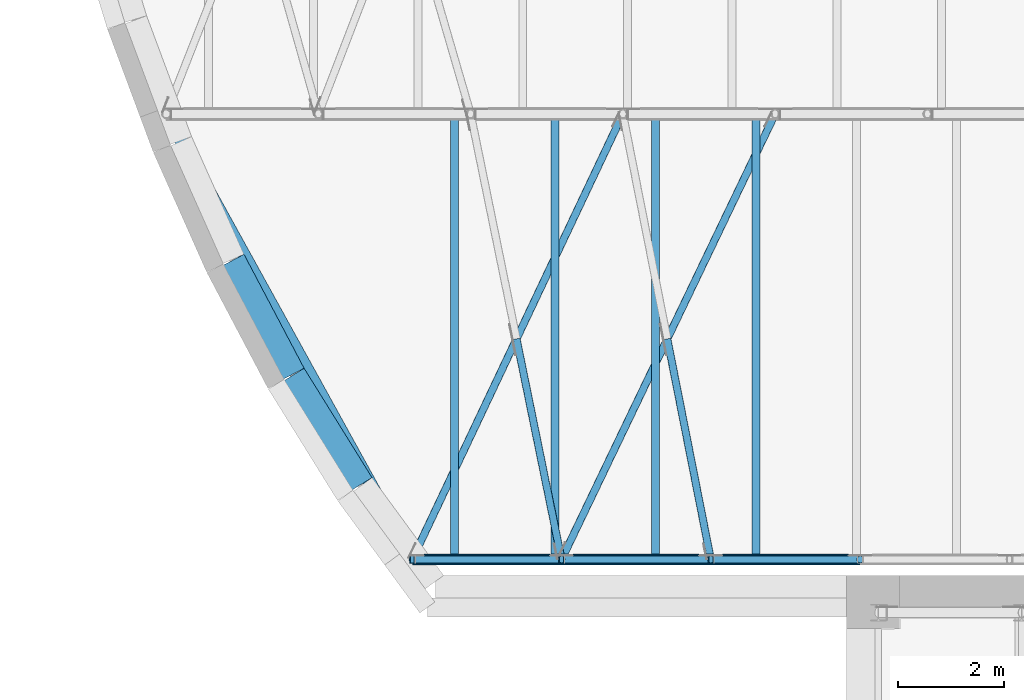
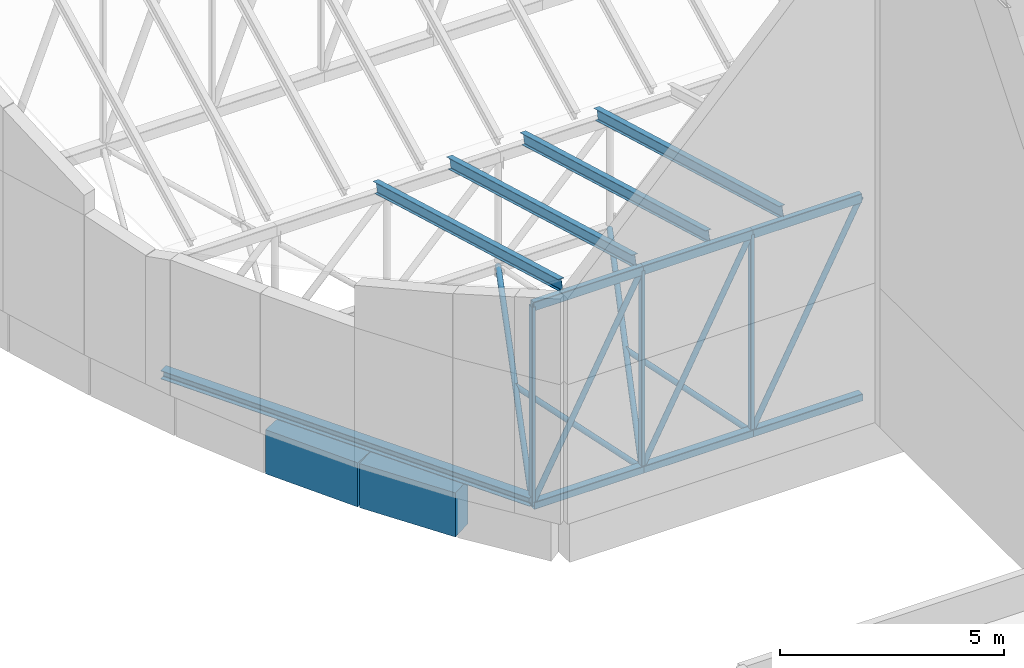
# One storey, part 7 of 68: 14 members, 9 beams.
"""IFC4 building model written with IfcOpenShell, lengths in metres."""

from ifc_helpers import new_model, si_unit, direction, frame, origin, origin_2d, place, context, subcontext, project, spatial, rectangle, hollow_rectangle, hollow_circle, i_section, extrude, material, material_profile, profile_set, type_object, element, save


model = new_model("IFC4")

# Units and contexts
model_context = context("Model", 3, precision=1e-05, world=origin(), true_north=direction((0.0, 1.0)))
body_context = subcontext(model_context, "Body", "Model", "MODEL_VIEW")
ifc_project = project(units=[si_unit("LENGTHUNIT", "METRE"), si_unit("AREAUNIT", "SQUARE_METRE"), si_unit("VOLUMEUNIT", "CUBIC_METRE"), si_unit("PLANEANGLEUNIT", "RADIAN"), si_unit("MASSUNIT", "GRAM", prefix="KILO")], contexts=[model_context])

# Site, building, storey
site_placement = place(None, origin())
site = spatial("IfcSite", under=ifc_project, at=site_placement, CompositionType="ELEMENT")
building_placement = place(site_placement, origin())
building = spatial("IfcBuilding", under=site, at=building_placement, Name="Larchfold Concert Hall", CompositionType="ELEMENT")
storey_placement = place(building_placement, frame((0.0, 0.0, 28.800048828125)))
storey = spatial("IfcBuildingStorey", under=building, at=storey_placement, Name="L06", CompositionType="ELEMENT", Elevation=28.800048828125)

# Beams
ifc_material_1 = material(Name="Concrete C40/50", Category="concrete")
ifc_material_profile_1 = material_profile(ifc_material_1, rectangle(XDim=0.60009765625, YDim=1.199951171875, at=origin_2d()))
ifc_profile_set_1 = profile_set([ifc_material_profile_1], Name="Concrete C40/50")
beam_type_1 = type_object("IfcBeamType", Name="Beam RC 600x1200", PredefinedType="BEAM", material=ifc_profile_set_1)
beam_1_placement = place(storey_placement, frame((22.276611328125, 65.613037109375, -0.60009765625), z_axis=(0.466450636576, -0.884547230869, 0.0), x_axis=(0.884547230869, 0.466450636576, 0.0)))
element("IfcBeam", 1, at=beam_1_placement, inside=storey, type_object=beam_type_1, Name="Beam RB47", PredefinedType="BEAM", context=body_context, shape_type="SweptSolid", body=[
    extrude(rectangle(XDim=0.60009765625, YDim=1.199951171875, at=origin_2d()), origin(), (0.0, 0.0, 1.0), 2.428466796875),
])
beam_2_placement = place(storey_placement, frame((23.419921875, 63.446533203125, -0.60009765625), z_axis=(0.527690900744, -0.849436468061, 0.0), x_axis=(0.849436468061, 0.527690900744, 0.0)))
element("IfcBeam", 2, at=beam_2_placement, inside=storey, type_object=beam_type_1, Name="Beam RB48", PredefinedType="BEAM", context=body_context, shape_type="SweptSolid", body=[
    extrude(rectangle(XDim=0.60009765625, YDim=1.199951171875, at=origin_2d()), origin(), (0.0, 0.0, 1.0), 2.4267578125),
])

# Members
ifc_material_2 = material(Name="Steel S355J2H", Category="steel")
ifc_material_profile_2 = material_profile(ifc_material_2, hollow_circle(Radius=0.06982421875, WallThickness=0.00634765625, at=origin_2d()))
ifc_profile_set_2 = profile_set([ifc_material_profile_2], Name="Steel S355J2H")
member_type_1 = type_object("IfcMemberType", Name="Bracing CHS 139.7x6.3", PredefinedType="BRACE", material=ifc_profile_set_2)
member_1_placement = place(storey_placement, frame((25.713623046875, 60.0, 0.0), z_axis=(0.427408512675, 0.904058606116, 0.0), x_axis=(-0.904058606116, 0.427408512675, 0.0)))
element("IfcMember", 3, at=member_1_placement, inside=storey, type_object=member_type_1, Name="Member FB001", PredefinedType="BRACE", context=body_context, shape_type="SweptSolid", body=[
    extrude(hollow_circle(Radius=0.06982421875, WallThickness=0.00634765625, at=origin_2d()), origin(), (0.0, 0.0, 1.0), 9.291259765625),
])
member_2_placement = place(storey_placement, frame((28.528076171875, 60.0, 0.0), z_axis=(-0.199875493412, 0.979821303674, 0.0), x_axis=(-0.979821303674, -0.199875493412, 0.0)))
element("IfcMember", 4, at=member_2_placement, inside=storey, type_object=member_type_1, Name="Member FB002", PredefinedType="BRACE", context=body_context, shape_type="SweptSolid", body=[
    extrude(hollow_circle(Radius=0.06982421875, WallThickness=0.00634765625, at=origin_2d()), origin(), (0.0, 0.0, 1.0), 4.24462890625),
])
member_3_placement = place(storey_placement, frame((28.528076171875, 60.0, 0.0), z_axis=(0.432264939543, 0.901746650696, 0.0), x_axis=(-0.901746650696, 0.432264939543, 0.0)))
element("IfcMember", 5, at=member_3_placement, inside=storey, type_object=member_type_1, Name="Member FB004", PredefinedType="BRACE", context=body_context, shape_type="SweptSolid", body=[
    extrude(hollow_circle(Radius=0.06982421875, WallThickness=0.00634765625, at=origin_2d()), origin(), (0.0, 0.0, 1.0), 9.315185546875),
])
member_4_placement = place(storey_placement, frame((31.342529296875, 60.0, 0.0), z_axis=(-0.193623550022, 0.981075899651, 0.0), x_axis=(-0.981075899651, -0.193623550022, 0.0)))
element("IfcMember", 6, at=member_4_placement, inside=storey, type_object=member_type_1, Name="Member FB005", PredefinedType="BRACE", context=body_context, shape_type="SweptSolid", body=[
    extrude(hollow_circle(Radius=0.06982421875, WallThickness=0.00634765625, at=origin_2d()), origin(), (0.0, 0.0, 1.0), 4.2392578125),
])
ifc_material_3 = material(Name="Steel S355", Category="steel")
ifc_material_profile_3 = material_profile(ifc_material_3, i_section(OverallWidth=0.14990234375, OverallDepth=0.300048828125, WebThickness=0.007080078125, FlangeThickness=0.0107421875, FilletRadius=0.014892578125, at=origin_2d()))
ifc_profile_set_3 = profile_set([ifc_material_profile_3], Name="Steel S355")
member_type_2 = type_object("IfcMemberType", Name="Rafter IPE 300", PredefinedType="RAFTER", material=ifc_profile_set_3)
for number, where, z_axis, x_axis, name in (
    (7, (26.513671875, 60.054931640625, 5.646240234375), (0.0, 0.962273331526, -0.272084610799), (-1.0, 0.0, 0.0), "Member RF0001"),
    (8, (28.40625, 60.054931640625, 5.646240234375), (0.0, 0.962273331526, -0.272084610799), (-1.0, 0.0, 0.0), "Member RF0002"),
    (9, (30.298583984375, 60.054931640625, 5.646240234375), (0.0, 0.962273331526, -0.272084610799), (-1.0, 0.0, 0.0), "Member RF0003"),
    (10, (32.191162109375, 60.054931640625, 5.646240234375), (0.0, 0.962273331526, -0.272084610799), (-1.0, 0.0, 0.0), "Member RF0004"),
):
    element("IfcMember", number, at=place(storey_placement, frame(where, z_axis=z_axis, x_axis=x_axis)), inside=storey, type_object=member_type_2, Name=name, PredefinedType="RAFTER", context=body_context, shape_type="SweptSolid", body=[
        extrude(i_section(OverallWidth=0.14990234375, OverallDepth=0.300048828125, WebThickness=0.007080078125, FlangeThickness=0.0107421875, FilletRadius=0.014892578125, at=origin_2d()), origin(), (0.0, 0.0, 1.0), 8.5888671875),
    ])

# Beams
ifc_material_4 = material(Name="Steel S355", Category="steel")
ifc_material_profile_4 = material_profile(ifc_material_4, i_section(OverallWidth=0.239990234375, OverallDepth=0.22998046875, WebThickness=0.007568359375, FlangeThickness=0.011962890625, FilletRadius=0.02099609375, at=origin_2d()))
ifc_profile_set_4 = profile_set([ifc_material_profile_4], Name="Steel S355")
beam_type_2 = type_object("IfcBeamType", Name="Steel beam HEA 240", PredefinedType="BEAM", material=ifc_profile_set_4)
beam_3_placement = place(storey_placement, frame((25.713623046875, 60.0, 0.114990234375), z_axis=(-0.483455291707, 0.875369054125, 0.0), x_axis=(-0.875369054125, -0.483455291707, 0.0)))
element("IfcBeam", 11, at=beam_3_placement, inside=storey, type_object=beam_type_2, Name="Beam EM01", PredefinedType="BEAM", context=body_context, shape_type="SweptSolid", body=[
    extrude(i_section(OverallWidth=0.239990234375, OverallDepth=0.22998046875, WebThickness=0.007568359375, FlangeThickness=0.011962890625, FilletRadius=0.02099609375, at=origin_2d()), origin(), (0.0, 0.0, 1.0), 9.595947265625),
])
ifc_material_5 = material(Name="Steel S355J2H", Category="steel")
ifc_material_profile_5 = material_profile(ifc_material_5, hollow_rectangle(XDim=0.14990234375, YDim=0.25, WallThickness=0.010009765625, InnerFilletRadius=0.010009765625, OuterFilletRadius=0.02001953125, at=origin_2d()))
ifc_profile_set_5 = profile_set([ifc_material_profile_5], Name="Steel S355J2H")
beam_type_3 = type_object("IfcBeamType", Name="Truss chord RHS 250x150x10", PredefinedType="BEAM", material=ifc_profile_set_5)
for number, where, z_axis, x_axis, name in (
    (12, (25.713623046875, 60.0, 5.39990234375), (1.0, 0.0, 0.0), (0.0, 1.0, 0.0), "Beam FT1T01"),
    (13, (28.528076171875, 60.0, 5.39990234375), (1.0, 0.0, 0.0), (0.0, 1.0, 0.0), "Beam FT1T02"),
):
    element("IfcBeam", number, at=place(storey_placement, frame(where, z_axis=z_axis, x_axis=x_axis)), inside=storey, type_object=beam_type_3, Name=name, PredefinedType="BEAM", context=body_context, shape_type="SweptSolid", body=[
        extrude(hollow_rectangle(XDim=0.14990234375, YDim=0.25, WallThickness=0.010009765625, InnerFilletRadius=0.010009765625, OuterFilletRadius=0.02001953125, at=origin_2d()), origin(), (0.0, 0.0, 1.0), 2.814453125),
    ])
beam_4_placement = place(storey_placement, frame((31.342529296875, 60.0, 5.39990234375), z_axis=(1.0, 0.0, 0.0), x_axis=(0.0, 1.0, 0.0)))
element("IfcBeam", 14, at=beam_4_placement, inside=storey, type_object=beam_type_3, Name="Beam FT1T03", PredefinedType="BEAM", context=body_context, shape_type="SweptSolid", body=[
    extrude(hollow_rectangle(XDim=0.14990234375, YDim=0.25, WallThickness=0.010009765625, InnerFilletRadius=0.010009765625, OuterFilletRadius=0.02001953125, at=origin_2d()), origin(), (0.0, 0.0, 1.0), 2.814208984375),
])

# Members
ifc_material_6 = material(Name="Steel S355J2H", Category="steel")
ifc_material_profile_6 = material_profile(ifc_material_6, hollow_rectangle(XDim=0.10009765625, YDim=0.14990234375, WallThickness=0.008056640625, InnerFilletRadius=0.008056640625, OuterFilletRadius=0.01611328125, at=origin_2d()))
ifc_profile_set_6 = profile_set([ifc_material_profile_6], Name="Steel S355J2H")
member_type_3 = type_object("IfcMemberType", Name="Truss post RHS 150x100x8", PredefinedType="POST", material=ifc_profile_set_6)
for number, where, z_axis, x_axis, name in (
    (15, (25.713623046875, 60.0, 5.39990234375), (0.0, 0.0, -1.0), (1.0, 0.0, 0.0), "Member FT1V01"),
    (16, (28.528076171875, 60.0, 5.39990234375), (0.0, 0.0, -1.0), (1.0, 0.0, 0.0), "Member FT1V02"),
    (17, (31.342529296875, 60.0, 5.39990234375), (0.0, 0.0, -1.0), (1.0, 0.0, 0.0), "Member FT1V03"),
):
    element("IfcMember", number, at=place(storey_placement, frame(where, z_axis=z_axis, x_axis=x_axis)), inside=storey, type_object=member_type_3, Name=name, PredefinedType="POST", context=body_context, shape_type="SweptSolid", body=[
        extrude(hollow_rectangle(XDim=0.10009765625, YDim=0.14990234375, WallThickness=0.008056640625, InnerFilletRadius=0.008056640625, OuterFilletRadius=0.01611328125, at=origin_2d()), origin(), (0.0, 0.0, 1.0), 5.39990234375),
    ])

# Beams
ifc_material_7 = material(Name="Steel S355J2H", Category="steel")
ifc_material_profile_7 = material_profile(ifc_material_7, hollow_rectangle(XDim=0.199951171875, YDim=0.199951171875, WallThickness=0.010009765625, InnerFilletRadius=0.010009765625, OuterFilletRadius=0.02001953125, at=origin_2d()))
ifc_profile_set_7 = profile_set([ifc_material_profile_7], Name="Steel S355J2H")
beam_type_4 = type_object("IfcBeamType", Name="Truss tie SHS 200x200x10", PredefinedType="BEAM", material=ifc_profile_set_7)
for number, where, z_axis, x_axis, name in (
    (18, (25.713623046875, 60.0, 0.0), (1.0, 0.0, 0.0), (0.0, 1.0, 0.0), "Beam FT1B01"),
    (19, (28.528076171875, 60.0, 0.0), (1.0, 0.0, 0.0), (0.0, 1.0, 0.0), "Beam FT1B02"),
):
    element("IfcBeam", number, at=place(storey_placement, frame(where, z_axis=z_axis, x_axis=x_axis)), inside=storey, type_object=beam_type_4, Name=name, PredefinedType="BEAM", context=body_context, shape_type="SweptSolid", body=[
        extrude(hollow_rectangle(XDim=0.199951171875, YDim=0.199951171875, WallThickness=0.010009765625, InnerFilletRadius=0.010009765625, OuterFilletRadius=0.02001953125, at=origin_2d()), origin(), (0.0, 0.0, 1.0), 2.814453125),
    ])
beam_5_placement = place(storey_placement, frame((31.342529296875, 60.0, 0.0), z_axis=(1.0, 0.0, 0.0), x_axis=(0.0, 1.0, 0.0)))
element("IfcBeam", 20, at=beam_5_placement, inside=storey, type_object=beam_type_4, Name="Beam FT1B03", PredefinedType="BEAM", context=body_context, shape_type="SweptSolid", body=[
    extrude(hollow_rectangle(XDim=0.199951171875, YDim=0.199951171875, WallThickness=0.010009765625, InnerFilletRadius=0.010009765625, OuterFilletRadius=0.02001953125, at=origin_2d()), origin(), (0.0, 0.0, 1.0), 2.814208984375),
])

# Members
ifc_material_8 = material(Name="Steel S355J2H", Category="steel")
ifc_material_profile_8 = material_profile(ifc_material_8, hollow_circle(Radius=0.06982421875, WallThickness=0.00634765625, at=origin_2d()))
ifc_profile_set_8 = profile_set([ifc_material_profile_8], Name="Steel S355J2H")
member_type_4 = type_object("IfcMemberType", Name="Truss web CHS 139.7x6.3", PredefinedType="BRACE", material=ifc_profile_set_8)
for number, where, z_axis, x_axis, name in (
    (21, (25.713623046875, 60.0, 0.0), (0.462193272746, 0.0, 0.886779216394), (0.0, 1.0, 0.0), "Member FT1D01"),
    (22, (28.528076171875, 60.0, 0.0), (0.462193272746, 0.0, 0.886779216394), (0.0, 1.0, 0.0), "Member FT1D02"),
):
    element("IfcMember", number, at=place(storey_placement, frame(where, z_axis=z_axis, x_axis=x_axis)), inside=storey, type_object=member_type_4, Name=name, PredefinedType="BRACE", context=body_context, shape_type="SweptSolid", body=[
        extrude(hollow_circle(Radius=0.06982421875, WallThickness=0.00634765625, at=origin_2d()), origin(), (0.0, 0.0, 1.0), 6.08935546875),
    ])
member_5_placement = place(storey_placement, frame((31.342529296875, 60.0, 0.0), z_axis=(0.462161743561, 0.0, 0.886795648832), x_axis=(0.0, 1.0, 0.0)))
element("IfcMember", 23, at=member_5_placement, inside=storey, type_object=member_type_4, Name="Member FT1D03", PredefinedType="BRACE", context=body_context, shape_type="SweptSolid", body=[
    extrude(hollow_circle(Radius=0.06982421875, WallThickness=0.00634765625, at=origin_2d()), origin(), (0.0, 0.0, 1.0), 6.089111328125),
])

save(model, "model.ifc")
